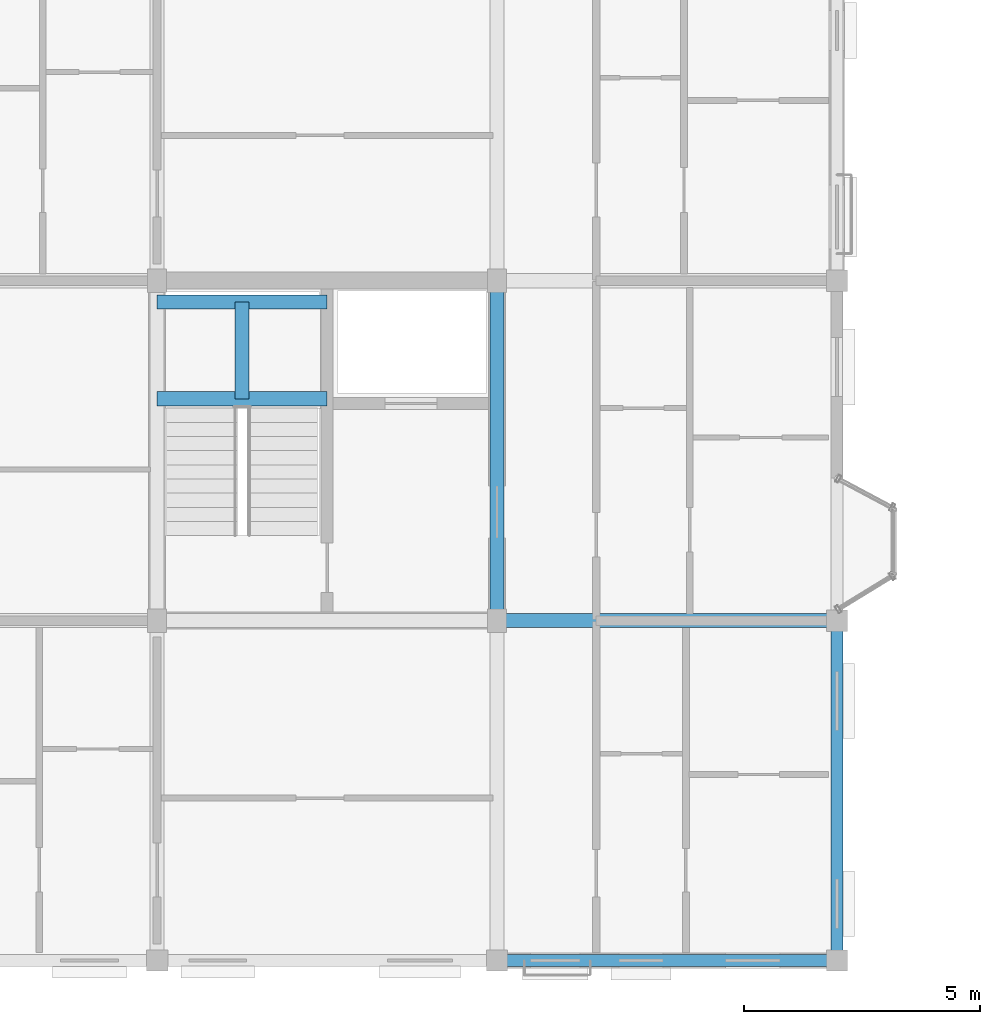
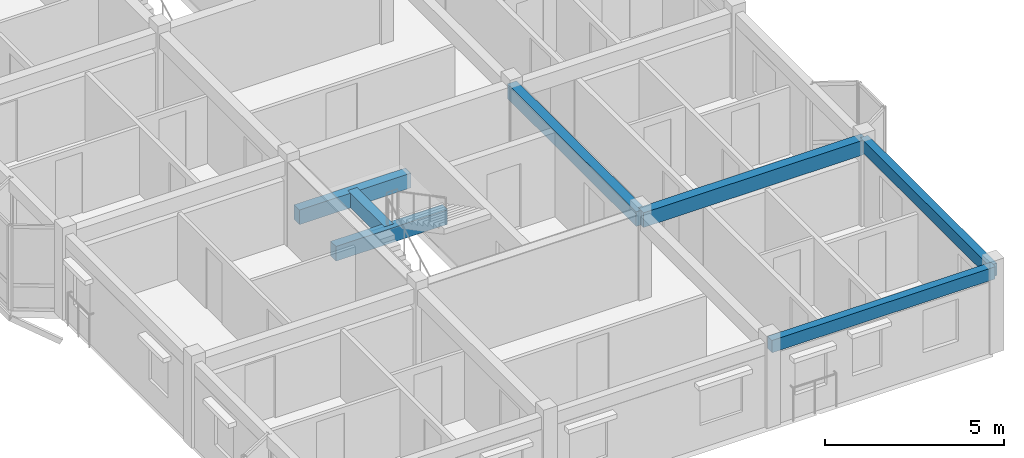
# One storey, part 6 of 28: 7 beams.
"""IFC4 building model written with IfcOpenShell, lengths in metres."""

from ifc_helpers import new_model, si_unit, direction, frame, origin, origin_2d, place, context, subcontext, project, spatial, rectangle, extrude, material, material_profile, profile_set, type_object, element, save


model = new_model("IFC4")

# Units and contexts
model_context = context("Model", 3, precision=1e-05, world=origin(), true_north=direction((0.0, 1.0)))
body_context = subcontext(model_context, "Body", "Model", "MODEL_VIEW")
ifc_project = project(units=[si_unit("LENGTHUNIT", "METRE"), si_unit("AREAUNIT", "SQUARE_METRE"), si_unit("VOLUMEUNIT", "CUBIC_METRE"), si_unit("PLANEANGLEUNIT", "RADIAN"), si_unit("MASSUNIT", "GRAM", prefix="KILO"), si_unit("THERMODYNAMICTEMPERATUREUNIT", "KELVIN"), si_unit("POWERUNIT", "WATT")], contexts=[model_context])

# Site, building, storey
site_placement = place(None, origin())
site = spatial("IfcSite", under=ifc_project, at=site_placement, CompositionType="ELEMENT")
building_placement = place(site_placement, origin())
building = spatial("IfcBuilding", under=site, at=building_placement, Name="Tavuni Mirador Residences", CompositionType="ELEMENT")
storey_placement = place(building_placement, frame((0.0, 0.0, 39.14990234375)))
storey = spatial("IfcBuildingStorey", under=building, at=storey_placement, Name="L12", CompositionType="ELEMENT", Elevation=39.14990234375)

# Beams
ifc_material = material(Name="Precast concrete C40/50", Category="concrete")
ifc_material_profile_1 = material_profile(ifc_material, rectangle(XDim=0.300048828125, YDim=0.5, at=origin_2d()), Name="PC 300x500", Category="concrete")
ifc_profile_set_1 = profile_set([ifc_material_profile_1], Name="Precast concrete C40/50")
beam_type_1 = type_object("IfcBeamType", Name="BT-B500", PredefinedType="BEAM", material=ifc_profile_set_1)
beam_1_placement = place(storey_placement, frame((18.0, 14.39990234375, 2.6201171875), z_axis=(1.0, 0.0, 0.0), x_axis=(0.0, 1.0, 0.0)))
element("IfcBeam", 1, at=beam_1_placement, inside=storey, type_object=beam_type_1, Name="BMX-BLK-A-L12-02-01", PredefinedType="BEAM", context=body_context, shape_type="SweptSolid", body=[
    extrude(rectangle(XDim=0.300048828125, YDim=0.5, at=origin_2d()), origin(), (0.0, 0.0, 1.0), 7.199951171875),
])
beam_2_placement = place(storey_placement, frame((18.0, 14.39990234375, 2.6201171875), z_axis=(0.0, 1.0, 0.0), x_axis=(-1.0, 0.0, 0.0)))
element("IfcBeam", 2, at=beam_2_placement, inside=storey, type_object=beam_type_1, Name="BMY-BLK-A-L12-02-01", PredefinedType="BEAM", context=body_context, shape_type="SweptSolid", body=[
    extrude(rectangle(XDim=0.300048828125, YDim=0.5, at=origin_2d()), origin(), (0.0, 0.0, 1.0), 7.2001953125),
])
for number, where, z_axis, x_axis, name in (
    (3, (10.800048828125, 19.10009765625, 1.14501953125), (1.0, 0.0, 0.0), (0.0, 1.0, 0.0), "HLB1-C1-L12"),
    (4, (10.800048828125, 21.14990234375, 1.14501953125), (1.0, 0.0, 0.0), (0.0, 1.0, 0.0), "HLB2-C1-L12"),
):
    element("IfcBeam", number, at=place(storey_placement, frame(where, z_axis=z_axis, x_axis=x_axis)), inside=storey, type_object=beam_type_1, Name=name, PredefinedType="BEAM", context=body_context, shape_type="SweptSolid", body=[
        extrude(rectangle(XDim=0.300048828125, YDim=0.5, at=origin_2d()), origin(), (0.0, 0.0, 1.0), 3.599853515625),
    ])
beam_3_placement = place(storey_placement, frame((12.60009765625, 19.10009765625, 1.14501953125), z_axis=(0.0, 1.0, 0.0), x_axis=(-1.0, 0.0, 0.0)))
element("IfcBeam", 5, at=beam_3_placement, inside=storey, type_object=beam_type_1, Name="HLB3-C1-L12", PredefinedType="BEAM", context=body_context, shape_type="SweptSolid", body=[
    extrude(rectangle(XDim=0.300048828125, YDim=0.5, at=origin_2d()), origin(), (0.0, 0.0, 1.0), 2.0498046875),
])
ifc_material_profile_2 = material_profile(ifc_material, rectangle(XDim=0.25, YDim=0.419921875, at=origin_2d()), Name="PC 250x420", Category="concrete")
ifc_profile_set_2 = profile_set([ifc_material_profile_2], Name="Precast concrete C40/50")
beam_type_2 = type_object("IfcBeamType", Name="BT-SP420", PredefinedType="SPANDREL", material=ifc_profile_set_2)
for number, where, z_axis, x_axis, name in (
    (6, (18.0, 7.199951171875, 2.66015625), (1.0, 0.0, 0.0), (0.0, 1.0, 0.0), "BMX-BLK-A-L12-02-00"),
    (7, (25.199951171875, 7.199951171875, 2.66015625), (0.0, 1.0, 0.0), (-1.0, 0.0, 0.0), "BMY-BLK-A-L12-03-00"),
):
    element("IfcBeam", number, at=place(storey_placement, frame(where, z_axis=z_axis, x_axis=x_axis)), inside=storey, type_object=beam_type_2, Name=name, PredefinedType="SPANDREL", context=body_context, shape_type="SweptSolid", body=[
        extrude(rectangle(XDim=0.25, YDim=0.419921875, at=origin_2d()), origin(), (0.0, 0.0, 1.0), 7.199951171875),
    ])

save(model, "model.ifc")
